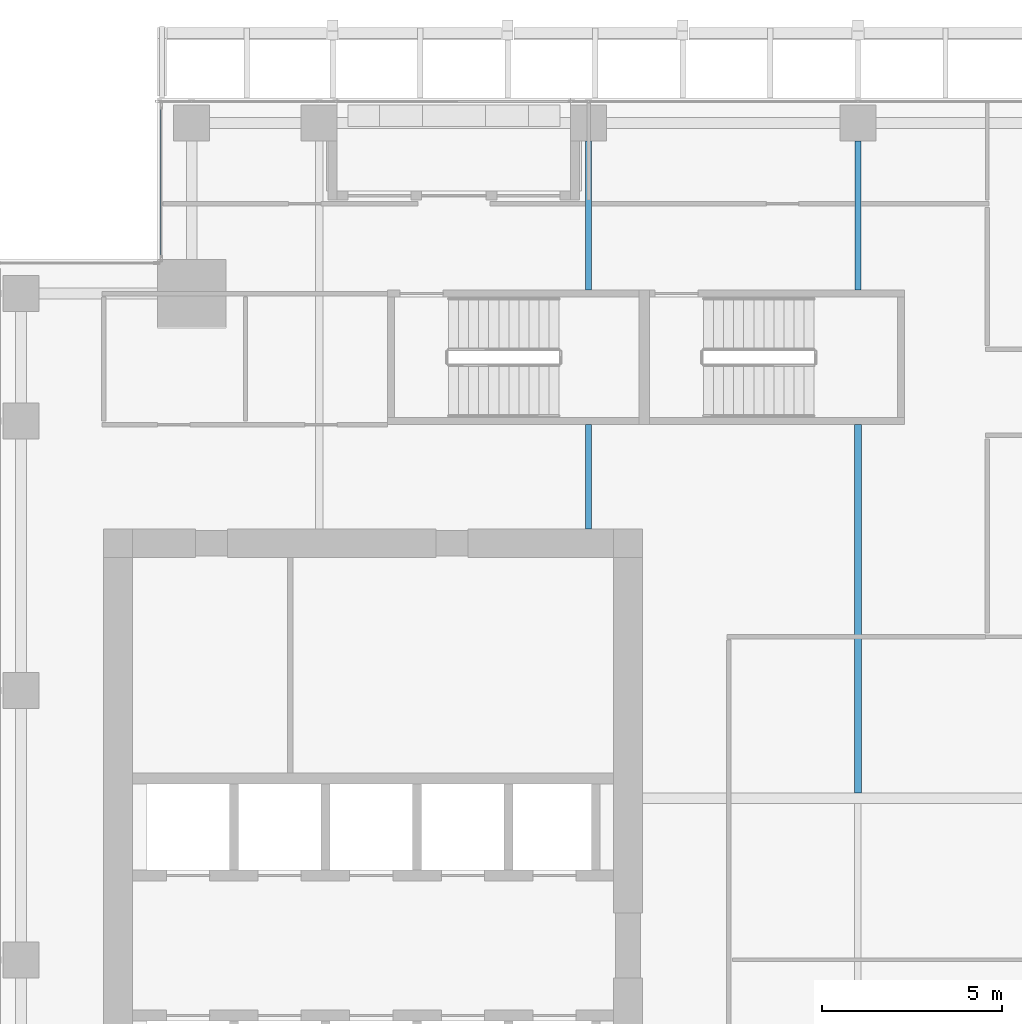
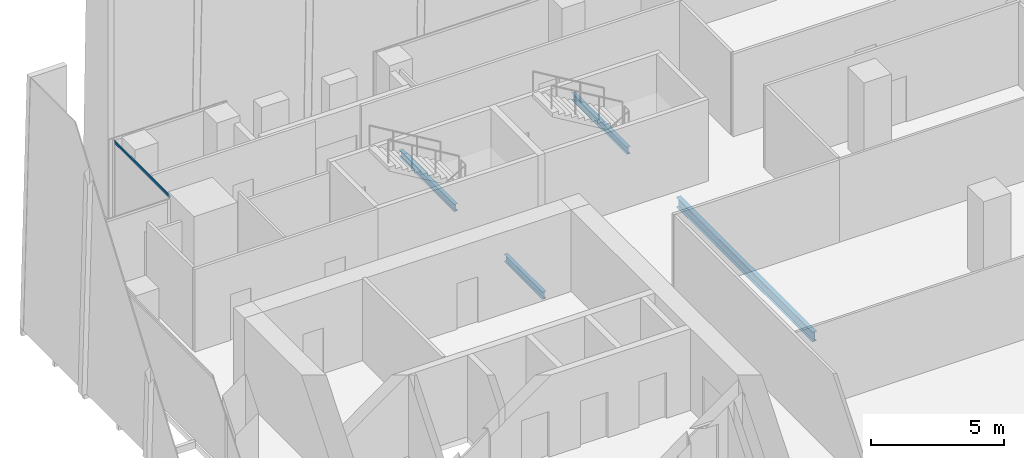
# One storey, part 15 of 35: 4 beams, 1 member, 1 element without a shape of its own.
"""IFC4 building model written with IfcOpenShell, lengths in metres."""

from ifc_helpers import new_model, si_unit, direction, frame, origin, origin_2d, place, context, subcontext, project, spatial, hollow_rectangle, i_section, extrude, source, transform, mapped, material, material_profile, profile_set, type_object, element, aggregate, save


model = new_model("IFC4")

# Units and contexts
model_context = context("Model", 3, precision=1e-05, world=origin(), true_north=direction((0.0, 1.0)))
body_context = subcontext(model_context, "Body", "Model", "MODEL_VIEW")
ifc_project = project(units=[si_unit("LENGTHUNIT", "METRE"), si_unit("AREAUNIT", "SQUARE_METRE"), si_unit("VOLUMEUNIT", "CUBIC_METRE"), si_unit("PLANEANGLEUNIT", "RADIAN"), si_unit("MASSUNIT", "GRAM", prefix="KILO")], contexts=[model_context])

# Site, building, storey
site_placement = place(None, origin())
site = spatial("IfcSite", under=ifc_project, at=site_placement, CompositionType="ELEMENT")
building_placement = place(site_placement, origin())
building = spatial("IfcBuilding", under=site, at=building_placement, Name="Khomas Fold Tower", CompositionType="ELEMENT")
storey_placement = place(building_placement, frame((0.0, 0.0, 188.699951171875)))
storey = spatial("IfcBuildingStorey", under=building, at=storey_placement, Name="L41", CompositionType="ELEMENT", Elevation=188.699951171875)

# Beams
ifc_material_1 = material(Name="Steel S355", Category="steel")
ifc_material_profile_1 = material_profile(ifc_material_1, i_section(OverallWidth=0.18994140625, OverallDepth=0.449951171875, WebThickness=0.009521484375, FlangeThickness=0.0146484375, at=origin_2d()), Name="IPE 450")
ifc_profile_set_1 = profile_set([ifc_material_profile_1], Name="Steel S355")
beam_type_1 = type_object("IfcBeamType", Name="IPE 450 beam JB4", PredefinedType="BEAM", material=ifc_profile_set_1)
shared_shape_1 = source(origin(), body_context, "Body", "SweptSolid", [
    extrude(i_section(OverallWidth=0.18994140625, OverallDepth=0.449951171875, WebThickness=0.009521484375, FlangeThickness=0.0146484375, at=origin_2d()), origin(), (0.0, 0.0, 1.0), 10.25),
])
beam_1_placement = place(storey_placement, frame((27.0, 31.64990234375, -0.474853515625), z_axis=(0.0, 1.0, 0.0), x_axis=(-1.0, 0.0, 0.0)))
element("IfcBeam", 1, at=beam_1_placement, inside=storey, type_object=beam_type_1, Name="JB4", PredefinedType="BEAM", context=body_context, shape_type="MappedRepresentation", body=[
    mapped(shared_shape_1, transform((0.0, 0.0, 0.0))),
])
ifc_material_2 = material(Name="Steel S355", Category="steel")
ifc_material_profile_2 = material_profile(ifc_material_2, i_section(OverallWidth=0.159912109375, OverallDepth=0.330078125, WebThickness=0.007568359375, FlangeThickness=0.011474609375, at=origin_2d()), Name="IPE 330")
ifc_profile_set_2 = profile_set([ifc_material_profile_2], Name="Steel S355")
beam_type_2 = type_object("IfcBeamType", Name="IPE 330 beam JB1", PredefinedType="BEAM", material=ifc_profile_set_2)
shared_shape_2 = source(origin(), body_context, "Body", "SweptSolid", [
    extrude(i_section(OverallWidth=0.159912109375, OverallDepth=0.330078125, WebThickness=0.007568359375, FlangeThickness=0.011474609375, at=origin_2d()), origin(), (0.0, 0.0, 1.0), 4.150146484375),
])
for number, where, z_axis, x_axis, name in (
    (2, (19.5, 45.64990234375, -0.4150390625), (0.0, 1.0, 0.0), (-1.0, 0.0, 0.0), "JB1"),
    (3, (27.0, 45.64990234375, -0.4150390625), (0.0, 1.0, 0.0), (-1.0, 0.0, 0.0), "JB1"),
):
    element("IfcBeam", number, at=place(storey_placement, frame(where, z_axis=z_axis, x_axis=x_axis)), inside=storey, type_object=beam_type_2, Name=name, PredefinedType="BEAM", context=body_context, shape_type="MappedRepresentation", body=[
        mapped(shared_shape_2, transform((0.0, 0.0, 0.0))),
    ])
shared_shape_3 = source(origin(), body_context, "Body", "SweptSolid", [
    extrude(i_section(OverallWidth=0.159912109375, OverallDepth=0.330078125, WebThickness=0.007568359375, FlangeThickness=0.011474609375, at=origin_2d()), origin(), (0.0, 0.0, 1.0), 2.89990234375),
])
beam_2_placement = place(storey_placement, frame((19.5, 39.0, -0.4150390625), z_axis=(0.0, 1.0, 0.0), x_axis=(-1.0, 0.0, 0.0)))
element("IfcBeam", 4, at=beam_2_placement, inside=storey, type_object=beam_type_2, Name="JB1", PredefinedType="BEAM", context=body_context, shape_type="MappedRepresentation", body=[
    mapped(shared_shape_3, transform((0.0, 0.0, 0.0))),
])

# Curtain wall, member
ifc_material_3 = material(Name="Aluminium framed double glazing", Category="aluminium")
curtain_wall_type = type_object("IfcCurtainWallType", Name="SK-Unitised clear-glass wall, office floors CW2", PredefinedType="NOTDEFINED", material=ifc_material_3)
curtain_wall_placement = place(storey_placement, origin())
curtain_wall = element("IfcCurtainWall", 5, at=curtain_wall_placement, inside=storey, type_object=curtain_wall_type, Name="CW2 corner return L41 07", PredefinedType="NOTDEFINED")
ifc_material_4 = material(Name="Aluminium", Category="aluminium")
ifc_material_profile_3 = material_profile(ifc_material_4, hollow_rectangle(XDim=0.050048828125, YDim=0.110107421875, WallThickness=0.00390625, at=origin_2d()), Name="SK-Unitised clear-glass wall, office floors transom CW2-T")
ifc_profile_set_3 = profile_set([ifc_material_profile_3], Name="Aluminium")
member_type = type_object("IfcMemberType", Name="SK-Unitised clear-glass wall, office floors transom CW2-T", PredefinedType="USERDEFINED", material=ifc_profile_set_3)
shared_shape_4 = source(origin(), body_context, "Body", "SweptSolid", [
    extrude(hollow_rectangle(XDim=0.050048828125, YDim=0.110107421875, WallThickness=0.00390625, at=origin_2d()), origin(), (0.0, 0.0, 1.0), 4.179931640625),
])
member_placement = place(storey_placement, frame((7.60009765625, 50.739990234375, 3.695068359375), z_axis=(0.0, -1.0, 0.0), x_axis=(1.0, 0.0, 0.0)))
member = element("IfcMember", 6, at=member_placement, type_object=member_type, Name="CW2 transom 1", ObjectType="TRANSOM", PredefinedType="USERDEFINED", context=body_context, shape_type="MappedRepresentation", body=[
    mapped(shared_shape_4, transform((0.0, 0.0, 0.0))),
])
aggregate(curtain_wall, [member])

save(model, "model.ifc")
